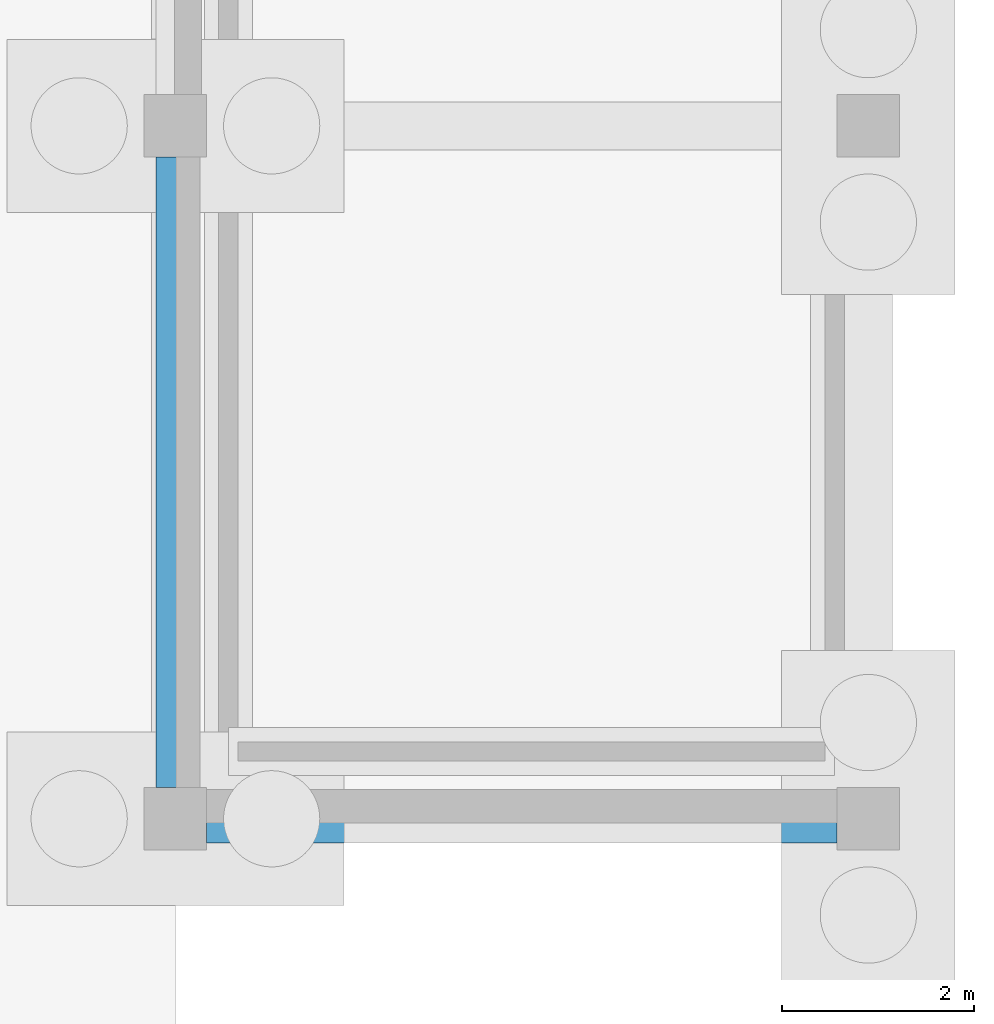
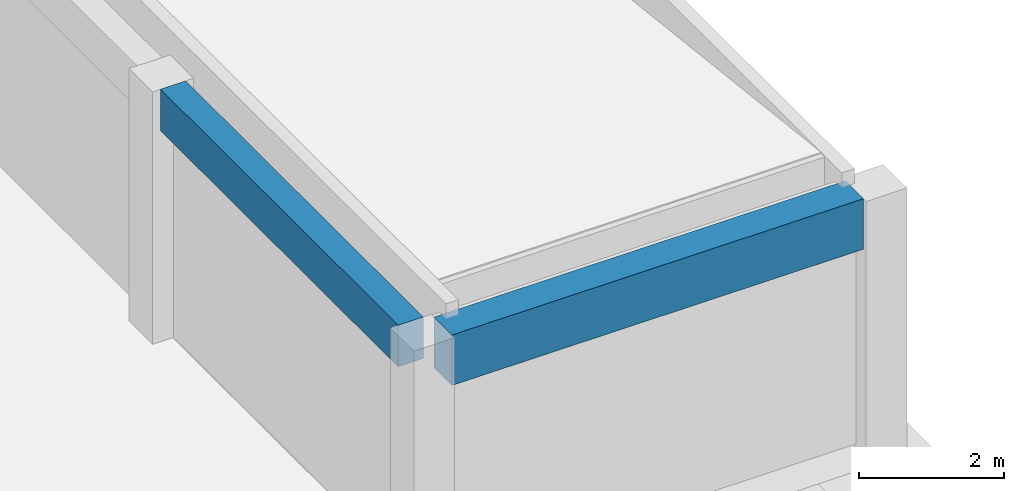
# One storey, part 10 of 28: 2 beams.
"""IFC4 building model written with IfcOpenShell, lengths in metres."""

from ifc_helpers import new_model, si_unit, direction, frame, origin, origin_2d, place, context, subcontext, project, spatial, rectangle, extrude, material, material_profile, profile_set, type_object, element, save


model = new_model("IFC4")

# Units and contexts
model_context = context("Model", 3, precision=1e-05, world=origin(), true_north=direction((0.0, 1.0)))
body_context = subcontext(model_context, "Body", "Model", "MODEL_VIEW")
ifc_project = project(units=[si_unit("LENGTHUNIT", "METRE"), si_unit("AREAUNIT", "SQUARE_METRE"), si_unit("VOLUMEUNIT", "CUBIC_METRE"), si_unit("PLANEANGLEUNIT", "RADIAN"), si_unit("MASSUNIT", "GRAM", prefix="KILO")], contexts=[model_context])

# Site, building, storey
site_placement = place(None, origin())
site = spatial("IfcSite", under=ifc_project, at=site_placement, CompositionType="ELEMENT")
building_placement = place(site_placement, origin())
building = spatial("IfcBuilding", under=site, at=building_placement, Name="Bramvelor Terrace Health Centre", CompositionType="ELEMENT")
storey_placement = place(building_placement, frame((0.0, 0.0, -4.5)))
storey = spatial("IfcBuildingStorey", under=building, at=storey_placement, Name="B1", CompositionType="ELEMENT", Elevation=-4.5)

# Beams
ifc_material_1 = material(Name="Concrete C40/50", Category="concrete")
ifc_material_profile_1 = material_profile(ifc_material_1, rectangle(XDim=0.39990234375, YDim=0.699951171875, at=origin_2d()), Name="RC 400x700")
ifc_profile_set_1 = profile_set([ifc_material_profile_1], Name="Concrete C40/50")
beam_type_1 = type_object("IfcBeamType", Name="BM-RC-G700", PredefinedType="BEAM", material=ifc_profile_set_1)
beam_1_placement = place(storey_placement, frame((43.199951171875, 36.324951171875, 3.89990234375), z_axis=(0.0, 1.0, 0.0), x_axis=(-1.0, 0.0, 0.0)))
element("IfcBeam", 1, at=beam_1_placement, inside=storey, type_object=beam_type_1, Name="B1 Floor Girder", PredefinedType="BEAM", context=body_context, shape_type="SweptSolid", body=[
    extrude(rectangle(XDim=0.39990234375, YDim=0.699951171875, at=origin_2d()), origin(), (0.0, 0.0, 1.0), 6.550048828125),
])
ifc_material_2 = material(Name="Concrete C40/50", Category="concrete")
ifc_material_profile_2 = material_profile(ifc_material_2, rectangle(XDim=0.5, YDim=0.85009765625, at=origin_2d()), Name="RC 500x850")
ifc_profile_set_2 = profile_set([ifc_material_profile_2], Name="Concrete C40/50")
beam_type_2 = type_object("IfcBeamType", Name="BM-RC-G850", PredefinedType="BEAM", material=ifc_profile_set_2)
beam_2_placement = place(storey_placement, frame((43.52490234375, 36.0, 3.824951171875), z_axis=(1.0, 0.0, 0.0), x_axis=(0.0, 1.0, 0.0)))
element("IfcBeam", 2, at=beam_2_placement, inside=storey, type_object=beam_type_2, Name="B1 Floor Girder", PredefinedType="BEAM", context=body_context, shape_type="SweptSolid", body=[
    extrude(rectangle(XDim=0.5, YDim=0.85009765625, at=origin_2d()), origin(), (0.0, 0.0, 1.0), 6.550048828125),
])

save(model, "model.ifc")
